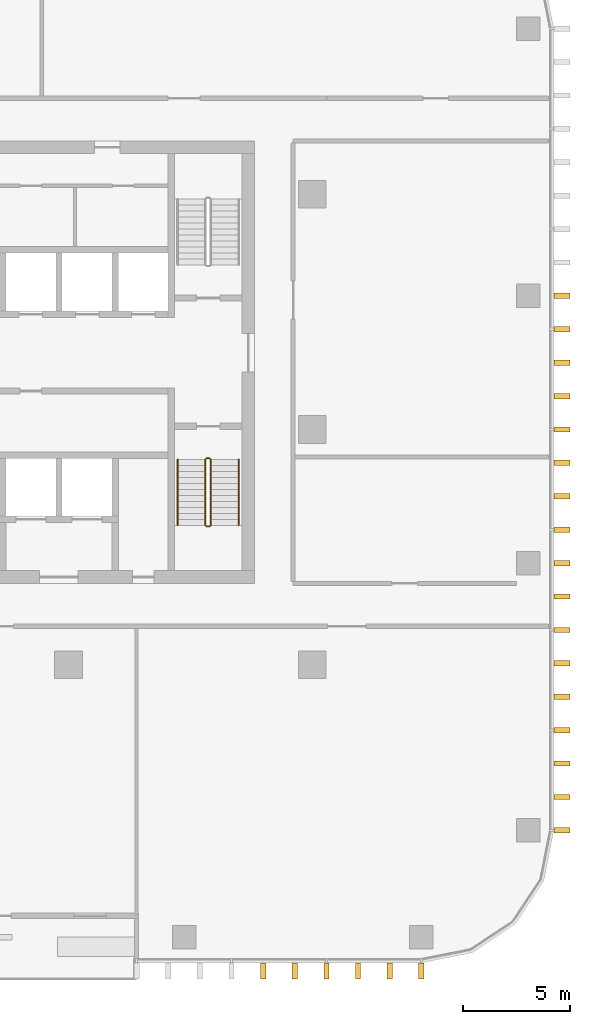
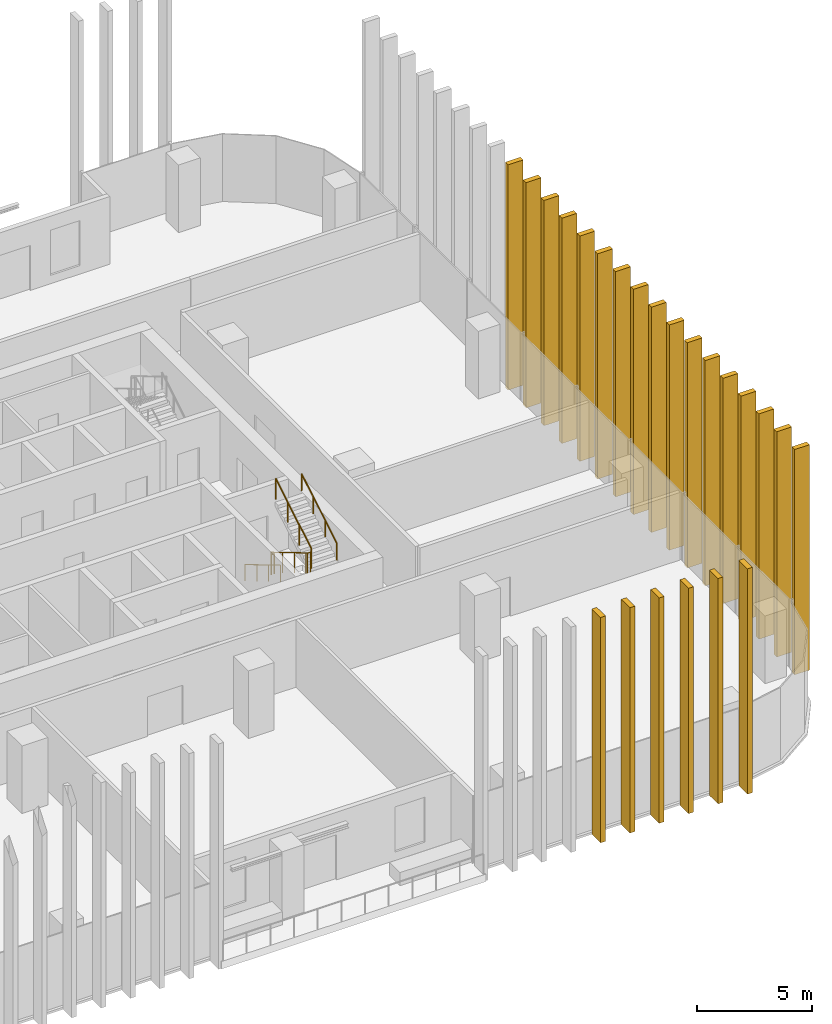
# One storey, part 13 of 16: 23 shading devices, 5 railings.
"""IFC4 building model written with IfcOpenShell, lengths in metres."""

from ifc_helpers import new_model, si_unit, direction, frame, origin, origin_2d, place, context, subcontext, project, spatial, rectangle, circle, extrude, material, type_object, element, save


model = new_model("IFC4")

# Units and contexts
model_context = context("Model", 3, precision=1e-05, world=origin(), true_north=direction((0.0, 1.0)))
body_context = subcontext(model_context, "Body", "Model", "MODEL_VIEW")
ifc_project = project(units=[si_unit("LENGTHUNIT", "METRE"), si_unit("AREAUNIT", "SQUARE_METRE"), si_unit("VOLUMEUNIT", "CUBIC_METRE"), si_unit("PLANEANGLEUNIT", "RADIAN"), si_unit("MASSUNIT", "GRAM", prefix="KILO")], contexts=[model_context])

# Site, building, storey
site_placement = place(None, origin())
site = spatial("IfcSite", under=ifc_project, at=site_placement, CompositionType="ELEMENT")
building_placement = place(site_placement, origin())
building = spatial("IfcBuilding", under=site, at=building_placement, Name="Mopane Tessera Tower", CompositionType="ELEMENT")
storey_placement = place(building_placement, frame((0.0, 0.0, 235.0)))
storey = spatial("IfcBuildingStorey", under=building, at=storey_placement, Name="L50", CompositionType="ELEMENT", Elevation=235.0)

# Shading devices
ifc_material_1 = material(Name="Glazed ceramic tile")
shading_device_type = type_object("IfcShadingDeviceType", Name="Ceramic tile fin 750 x 250 mm", PredefinedType="USERDEFINED", material=ifc_material_1)
for number, where, z_axis, x_axis, name in (
    (1, (14.800048828125, -25.324951171875, -0.39990234375), (0.0, 0.0, 1.0), (1.0, 0.0, 0.0), "e:fin:L50:S:8:1"),
    (2, (16.280029296875, -25.324951171875, -0.39990234375), (0.0, 0.0, 1.0), (1.0, 0.0, 0.0), "e:fin:L50:S:8:2"),
    (3, (17.760009765625, -25.324951171875, -0.39990234375), (0.0, 0.0, 1.0), (1.0, 0.0, 0.0), "e:fin:L50:S:9:0"),
    (4, (19.239990234375, -25.324951171875, -0.39990234375), (0.0, 0.0, 1.0), (1.0, 0.0, 0.0), "e:fin:L50:S:9:1"),
    (5, (20.719970703125, -25.324951171875, -0.39990234375), (0.0, 0.0, 1.0), (1.0, 0.0, 0.0), "e:fin:L50:S:9:2"),
    (6, (22.199951171875, -25.324951171875, -0.39990234375), (0.0, 0.0, 1.0), (1.0, 0.0, 0.0), "e:fin:L50:S:9:3"),
    (7, (28.77490234375, -18.75, -0.39990234375), (0.0, 0.0, 1.0), (0.0, 1.0, 0.0), "e:fin:L50:E:0:0"),
    (8, (28.77490234375, -17.1875, -0.39990234375), (0.0, 0.0, 1.0), (0.0, 1.0, 0.0), "e:fin:L50:E:0:1"),
    (9, (28.77490234375, -15.625, -0.39990234375), (0.0, 0.0, 1.0), (0.0, 1.0, 0.0), "e:fin:L50:E:0:2"),
    (10, (28.77490234375, -14.0625, -0.39990234375), (0.0, 0.0, 1.0), (0.0, 1.0, 0.0), "e:fin:L50:E:1:0"),
    (11, (28.77490234375, -12.5, -0.39990234375), (0.0, 0.0, 1.0), (0.0, 1.0, 0.0), "e:fin:L50:E:1:1"),
    (12, (28.77490234375, -10.9375, -0.39990234375), (0.0, 0.0, 1.0), (0.0, 1.0, 0.0), "e:fin:L50:E:1:2"),
    (13, (28.77490234375, -9.375, -0.39990234375), (0.0, 0.0, 1.0), (0.0, 1.0, 0.0), "e:fin:L50:E:2:0"),
    (14, (28.77490234375, -7.8125, -0.39990234375), (0.0, 0.0, 1.0), (0.0, 1.0, 0.0), "e:fin:L50:E:2:1"),
    (15, (28.77490234375, -6.25, -0.39990234375), (0.0, 0.0, 1.0), (0.0, 1.0, 0.0), "e:fin:L50:E:2:2"),
    (16, (28.77490234375, -4.6875, -0.39990234375), (0.0, 0.0, 1.0), (0.0, 1.0, 0.0), "e:fin:L50:E:3:0"),
    (17, (28.77490234375, -3.125, -0.39990234375), (0.0, 0.0, 1.0), (0.0, 1.0, 0.0), "e:fin:L50:E:3:1"),
    (18, (28.77490234375, -1.5625, -0.39990234375), (0.0, 0.0, 1.0), (0.0, 1.0, 0.0), "e:fin:L50:E:3:2"),
    (19, (28.77490234375, 0.0, -0.39990234375), (0.0, 0.0, 1.0), (0.0, 1.0, 0.0), "e:fin:L50:E:4:0"),
    (20, (28.77490234375, 1.5625, -0.39990234375), (0.0, 0.0, 1.0), (0.0, 1.0, 0.0), "e:fin:L50:E:4:1"),
    (21, (28.77490234375, 3.125, -0.39990234375), (0.0, 0.0, 1.0), (0.0, 1.0, 0.0), "e:fin:L50:E:4:2"),
    (22, (28.77490234375, 4.6875, -0.39990234375), (0.0, 0.0, 1.0), (0.0, 1.0, 0.0), "e:fin:L50:E:5:0"),
    (23, (28.77490234375, 6.25, -0.39990234375), (0.0, 0.0, 1.0), (0.0, 1.0, 0.0), "e:fin:L50:E:5:1"),
):
    element("IfcShadingDevice", number, at=place(storey_placement, frame(where, z_axis=z_axis, x_axis=x_axis)), inside=storey, type_object=shading_device_type, Name=name, ObjectType="FIN", PredefinedType="USERDEFINED", context=body_context, shape_type="SweptSolid", body=[
        extrude(rectangle(XDim=0.25, YDim=0.75, at=origin_2d()), origin(), (0.0, 0.0, 1.0), 12.0),
    ])

# Railings
ifc_material_2 = material(Name="Powder-coated steel balustrade", Category="steel")
railing_type_1 = type_object("IfcRailingType", Name="Escape stair guard 1100 mm", PredefinedType="GUARDRAIL", material=ifc_material_2)
railing_1_placement = place(storey_placement, frame((12.10009765625, -1.39990234375, 0.166748046875)))
element("IfcRailing", 24, at=railing_1_placement, inside=storey, type_object=railing_type_1, Name="L50 ST3 stair guard 1", PredefinedType="GUARDRAIL", context=body_context, shape_type="SweptSolid", body=[
    extrude(circle(Radius=0.02392578125, at=origin_2d()), frame((0.0, 0.0, 1.076171875), z_axis=(0.0, -0.859308565015, 0.511457515432), x_axis=(1.0, 0.0, 0.0)), (0.0, 0.0, 1.0), 3.58447265625),
    extrude(circle(Radius=0.02392578125, at=origin_2d()), frame((0.0, -3.080078125, 2.9091796875), z_axis=(0.705375805398, -0.708833529934, 0.0), x_axis=(0.708833529934, 0.705375805398, 0.0)), (0.0, 0.0, 1.0), 0.070556640625),
    extrude(circle(Radius=0.02392578125, at=origin_2d()), frame((0.0498046875, -3.130126953125, 2.9091796875), z_axis=(1.0, 0.0, 0.0), x_axis=(0.0, 1.0, 0.0)), (0.0, 0.0, 1.0), 0.150146484375),
    extrude(circle(Radius=0.02099609375, at=origin_2d()), origin(), (0.0, 0.0, 1.0), 1.052001953125),
    extrude(circle(Radius=0.02099609375, at=origin_2d()), frame((0.0, -1.026611328125, 0.611083984375)), (0.0, 0.0, 1.0), 1.052001953125),
    extrude(circle(Radius=0.02099609375, at=origin_2d()), frame((0.0, -2.053466796875, 1.22216796875)), (0.0, 0.0, 1.0), 1.052001953125),
    extrude(circle(Radius=0.02099609375, at=origin_2d()), frame((0.0, -3.080078125, 1.833251953125)), (0.0, 0.0, 1.0), 1.052001953125),
    extrude(circle(Radius=0.02099609375, at=origin_2d()), frame((0.0498046875, -3.130126953125, 1.833251953125)), (0.0, 0.0, 1.0), 1.052001953125),
    extrude(circle(Radius=0.02099609375, at=origin_2d()), frame((0.199951171875, -3.130126953125, 1.833251953125)), (0.0, 0.0, 1.0), 1.052001953125),
])
railing_2_placement = place(storey_placement, frame((12.35009765625, -4.47998046875, 2.166748046875)))
element("IfcRailing", 25, at=railing_2_placement, inside=storey, type_object=railing_type_1, Name="L50 ST3 stair guard 2", PredefinedType="GUARDRAIL", context=body_context, shape_type="SweptSolid", body=[
    extrude(circle(Radius=0.02392578125, at=origin_2d()), frame((0.0, 0.0, 1.076171875), z_axis=(0.0, 0.859308565015, 0.511457515432), x_axis=(-1.0, 0.0, 0.0)), (0.0, 0.0, 1.0), 3.58447265625),
    extrude(circle(Radius=0.02099609375, at=origin_2d()), origin(), (0.0, 0.0, 1.0), 1.052001953125),
    extrude(circle(Radius=0.02099609375, at=origin_2d()), frame((0.0, 1.026611328125, 0.611083984375)), (0.0, 0.0, 1.0), 1.052001953125),
    extrude(circle(Radius=0.02099609375, at=origin_2d()), frame((0.0, 2.053466796875, 1.22216796875)), (0.0, 0.0, 1.0), 1.052001953125),
    extrude(circle(Radius=0.02099609375, at=origin_2d()), frame((0.0, 3.080078125, 1.833251953125)), (0.0, 0.0, 1.0), 1.052001953125),
])
railing_3_placement = place(storey_placement, frame((12.14990234375, -1.35009765625, 0.0)))
element("IfcRailing", 26, at=railing_3_placement, inside=storey, type_object=railing_type_1, Name="L50 ST3 stair guard 3", PredefinedType="GUARDRAIL", context=body_context, shape_type="SweptSolid", body=[
    extrude(circle(Radius=0.02392578125, at=origin_2d()), frame((0.0, 0.0, 1.076171875), z_axis=(1.0, 0.0, 0.0), x_axis=(0.0, 1.0, 0.0)), (0.0, 0.0, 1.0), 0.150146484375),
    extrude(circle(Radius=0.02099609375, at=origin_2d()), origin(), (0.0, 0.0, 1.0), 1.052001953125),
    extrude(circle(Radius=0.02099609375, at=origin_2d()), frame((0.150146484375, 0.0, 0.0)), (0.0, 0.0, 1.0), 1.052001953125),
])
ifc_material_3 = material(Name="Powder-coated steel balustrade", Category="steel")
railing_type_2 = type_object("IfcRailingType", Name="Escape stair handrail 900 mm", PredefinedType="HANDRAIL", material=ifc_material_3)
railing_4_placement = place(storey_placement, frame((10.800048828125, -1.39990234375, 0.166748046875)))
element("IfcRailing", 27, at=railing_4_placement, inside=storey, type_object=railing_type_2, Name="L50 ST3 stair handrail 1", PredefinedType="HANDRAIL", context=body_context, shape_type="SweptSolid", body=[
    extrude(circle(Radius=0.02392578125, at=origin_2d()), frame((0.0, 0.0, 0.8759765625), z_axis=(0.0, -0.859308565015, 0.511457515432), x_axis=(1.0, 0.0, 0.0)), (0.0, 0.0, 1.0), 3.58447265625),
    extrude(circle(Radius=0.02099609375, at=origin_2d()), origin(), (0.0, 0.0, 1.0), 0.851806640625),
    extrude(circle(Radius=0.02099609375, at=origin_2d()), frame((0.0, -1.026611328125, 0.611083984375)), (0.0, 0.0, 1.0), 0.851806640625),
    extrude(circle(Radius=0.02099609375, at=origin_2d()), frame((0.0, -2.053466796875, 1.22216796875)), (0.0, 0.0, 1.0), 0.851806640625),
    extrude(circle(Radius=0.02099609375, at=origin_2d()), frame((0.0, -3.080078125, 1.833251953125)), (0.0, 0.0, 1.0), 0.851806640625),
])
railing_5_placement = place(storey_placement, frame((13.64990234375, -4.47998046875, 2.166748046875)))
element("IfcRailing", 28, at=railing_5_placement, inside=storey, type_object=railing_type_2, Name="L50 ST3 stair handrail 2", PredefinedType="HANDRAIL", context=body_context, shape_type="SweptSolid", body=[
    extrude(circle(Radius=0.02392578125, at=origin_2d()), frame((0.0, 0.0, 0.8759765625), z_axis=(0.0, 0.859308565015, 0.511457515432), x_axis=(-1.0, 0.0, 0.0)), (0.0, 0.0, 1.0), 3.58447265625),
    extrude(circle(Radius=0.02099609375, at=origin_2d()), origin(), (0.0, 0.0, 1.0), 0.851806640625),
    extrude(circle(Radius=0.02099609375, at=origin_2d()), frame((0.0, 1.026611328125, 0.611083984375)), (0.0, 0.0, 1.0), 0.851806640625),
    extrude(circle(Radius=0.02099609375, at=origin_2d()), frame((0.0, 2.053466796875, 1.22216796875)), (0.0, 0.0, 1.0), 0.851806640625),
    extrude(circle(Radius=0.02099609375, at=origin_2d()), frame((0.0, 3.080078125, 1.833251953125)), (0.0, 0.0, 1.0), 0.851806640625),
])

save(model, "model.ifc")
